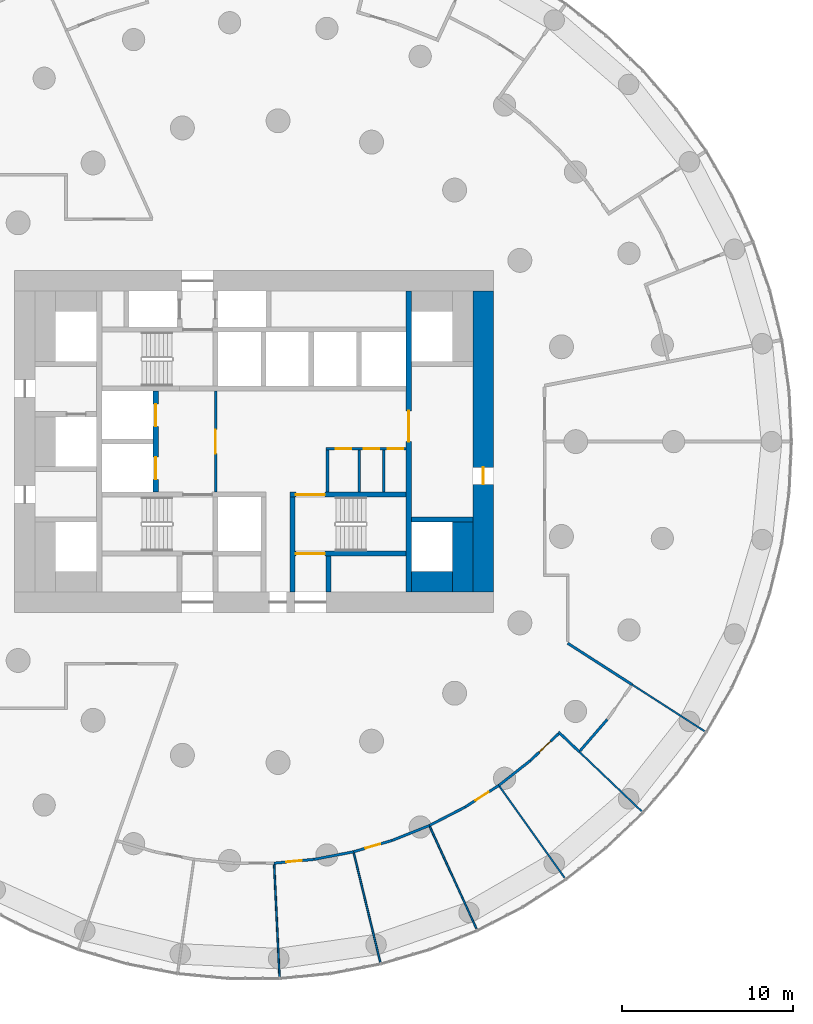
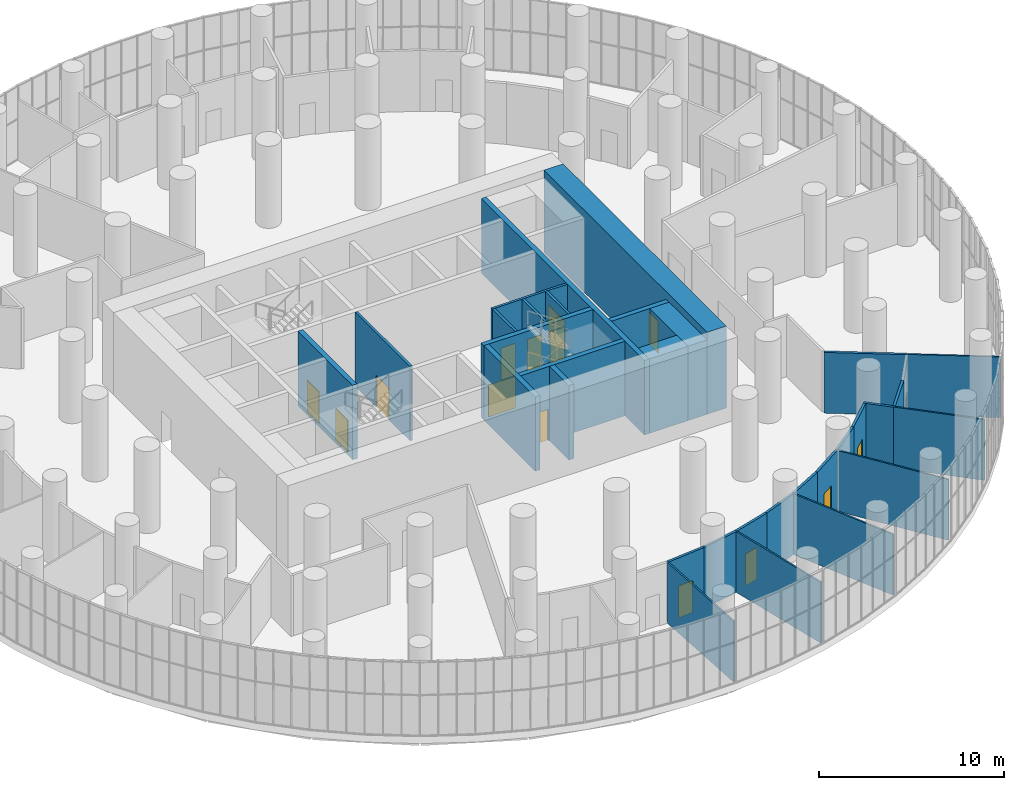
# One storey, part 22 of 27: 32 walls, 14 doors, 14 openings.
"""IFC4 building model written with IfcOpenShell, lengths in metres."""

from ifc_helpers import new_model, si_unit, direction, frame, frame_2d, origin, place, context, subcontext, project, spatial, rectangle, extrude, material, layer, layer_set, type_object, element, fill, save


model = new_model("IFC4")

# Units and contexts
model_context = context("Model", 3, precision=1e-05, world=origin(), true_north=direction((0.0, 1.0)))
body_context = subcontext(model_context, "Body", "Model", "MODEL_VIEW")
ifc_project = project(units=[si_unit("LENGTHUNIT", "METRE"), si_unit("AREAUNIT", "SQUARE_METRE"), si_unit("VOLUMEUNIT", "CUBIC_METRE"), si_unit("PLANEANGLEUNIT", "RADIAN"), si_unit("MASSUNIT", "GRAM", prefix="KILO")], contexts=[model_context])

# Site, building, storey
site_placement = place(None, origin())
site = spatial("IfcSite", under=ifc_project, at=site_placement, CompositionType="ELEMENT")
building_placement = place(site_placement, origin())
building = spatial("IfcBuilding", under=site, at=building_placement, Name="Tracery Tower", CompositionType="ELEMENT")
storey_placement = place(building_placement, frame((0.0, 0.0, 114.60009765625)))
storey = spatial("IfcBuildingStorey", under=building, at=storey_placement, Name="L29", CompositionType="ELEMENT", Elevation=114.60009765625)

# Wall, opening, door
ifc_material_1 = material(Name="Plasterboard on steel studs", Category="steel")
ifc_layer_1 = layer(ifc_material_1, 0.14990234375)
ifc_layer_set_1 = layer_set([ifc_layer_1], Name="Core lobby partition 150")
wall_type_1 = type_object("IfcWallType", Name="Core lobby partition 150", PredefinedType="SOLIDWALL", material=ifc_layer_set_1)
wall_1_placement = place(storey_placement, frame((-2.25, -2.949951171875, 0.0), z_axis=(0.0, 0.0, 1.0), x_axis=(0.0, 1.0, 0.0)))
wall_1 = element("IfcWall", 1, at=wall_1_placement, inside=storey, type_object=wall_type_1, Name="L29 FF lobby E", PredefinedType="SOLIDWALL", context=body_context, shape_type="SweptSolid", body=[
    extrude(rectangle(XDim=5.89990234375, YDim=0.14990234375, at=frame_2d((2.949951171875, 0.0))), origin(), (0.0, 0.0, 1.0), 4.89990234375),
])
opening_1_placement = place(wall_1_placement, frame((2.25, 0.0, 0.0)))
opening_1 = element("IfcOpeningElement", 2, at=opening_1_placement, cuts=wall_1, Name="Opening KD8", PredefinedType="OPENING", context=body_context, shape_type="SweptSolid", body=[
    extrude(rectangle(XDim=1.39990234375, YDim=2.10009765625, at=frame_2d((0.699951171875, 1.050048828125))), frame((0.0, 0.074951171875, 0.0), z_axis=(0.0, -1.0, 0.0), x_axis=(1.0, 0.0, 0.0)), (0.0, 0.0, 1.0), 0.14990234375),
])
ifc_material_2 = material(Name="Steel fire door", Category="steel")
door_type_1 = type_object("IfcDoorType", Name="Core lobby door 1400 double", OperationType="NOTDEFINED", PredefinedType="DOOR", material=ifc_material_2)
door_1_placement = place(opening_1_placement, origin())
door_1 = element("IfcDoor", 3, at=door_1_placement, inside=storey, type_object=door_type_1, Name="Fire-fighting lobby door", OperationType="DOUBLE_DOOR_SINGLE_SWING", OverallHeight=2.10009765625, OverallWidth=1.39990234375, PredefinedType="DOOR", context=body_context, shape_type="SweptSolid", body=[
    extrude(rectangle(XDim=1.39990234375, YDim=2.10009765625, at=frame_2d((0.699951171875, 1.050048828125))), frame((0.0, 0.02490234375, 0.0), z_axis=(0.0, -1.0, 0.0), x_axis=(1.0, 0.0, 0.0)), (0.0, 0.0, 1.0), 0.050048828125),
])
fill(opening_1, door_1)

# Wall
ifc_material_3 = material(Name="Plasterboard on steel studs", Category="steel")
ifc_layer_2 = layer(ifc_material_3, 0.14990234375)
ifc_layer_set_2 = layer_set([ifc_layer_2], Name="Core room partition 150")
wall_type_2 = type_object("IfcWallType", Name="Core room partition 150", PredefinedType="SOLIDWALL", material=ifc_layer_set_2)
wall_2_placement = place(storey_placement, frame((4.300048828125, -2.949951171875, 0.0), z_axis=(0.0, 0.0, 1.0), x_axis=(0.0, 1.0, 0.0)))
element("IfcWall", 4, at=wall_2_placement, inside=storey, type_object=wall_type_2, Name="L29 slot W", PredefinedType="SOLIDWALL", context=body_context, shape_type="SweptSolid", body=[
    extrude(rectangle(XDim=2.449951171875, YDim=0.14990234375, at=frame_2d((1.22509765625, 0.0))), origin(), (0.0, 0.0, 1.0), 4.89990234375),
])

# Wall, openings, doors
wall_3_placement = place(storey_placement, frame((4.22509765625, -0.425048828125, 0.0), z_axis=(0.0, 0.0, 1.0), x_axis=(1.0, 0.0, 0.0)))
wall_3 = element("IfcWall", 5, at=wall_3_placement, inside=storey, type_object=wall_type_2, Name="L29 slot N", PredefinedType="SOLIDWALL", context=body_context, shape_type="SweptSolid", body=[
    extrude(rectangle(XDim=4.6748046875, YDim=0.14990234375, at=frame_2d((2.33740234375, 0.0))), origin(), (0.0, 0.0, 1.0), 4.89990234375),
])
opening_2_placement = place(wall_3_placement, frame((0.550048828125, 0.0, 0.0)))
opening_2 = element("IfcOpeningElement", 6, at=opening_2_placement, cuts=wall_3, Name="Opening KD22", PredefinedType="OPENING", context=body_context, shape_type="SweptSolid", body=[
    extrude(rectangle(XDim=0.89990234375, YDim=2.10009765625, at=frame_2d((0.449951171875, 1.050048828125))), frame((0.0, 0.074951171875, 0.0), z_axis=(0.0, -1.0, 0.0), x_axis=(1.0, 0.0, 0.0)), (0.0, 0.0, 1.0), 0.14990234375),
])
opening_3_placement = place(wall_3_placement, frame((2.199951171875, 0.0, 0.0)))
opening_3 = element("IfcOpeningElement", 7, at=opening_3_placement, cuts=wall_3, Name="Opening KD26", PredefinedType="OPENING", context=body_context, shape_type="SweptSolid", body=[
    extrude(rectangle(XDim=0.89990234375, YDim=2.10009765625, at=frame_2d((0.449951171875, 1.050048828125))), frame((0.0, 0.074951171875, 0.0), z_axis=(0.0, -1.0, 0.0), x_axis=(1.0, 0.0, 0.0)), (0.0, 0.0, 1.0), 0.14990234375),
])
opening_4_placement = place(wall_3_placement, frame((3.612548828125, 0.0, 0.0)))
opening_4 = element("IfcOpeningElement", 8, at=opening_4_placement, cuts=wall_3, Name="Opening KD27", PredefinedType="OPENING", context=body_context, shape_type="SweptSolid", body=[
    extrude(rectangle(XDim=0.89990234375, YDim=2.10009765625, at=frame_2d((0.449951171875, 1.050048828125))), frame((0.0, 0.074951171875, 0.0), z_axis=(0.0, -1.0, 0.0), x_axis=(1.0, 0.0, 0.0)), (0.0, 0.0, 1.0), 0.14990234375),
])
ifc_material_4 = material(Name="Timber door leaf", Category="wood")
door_type_2 = type_object("IfcDoorType", Name="Core WC door 900", OperationType="NOTDEFINED", PredefinedType="DOOR", material=ifc_material_4)
door_2_placement = place(opening_2_placement, origin())
door_2 = element("IfcDoor", 9, at=door_2_placement, inside=storey, type_object=door_type_2, Name="Core door", OperationType="SINGLE_SWING_RIGHT", OverallHeight=2.10009765625, OverallWidth=0.89990234375, PredefinedType="DOOR", context=body_context, shape_type="SweptSolid", body=[
    extrude(rectangle(XDim=0.89990234375, YDim=2.10009765625, at=frame_2d((0.449951171875, 1.050048828125))), frame((0.0, 0.02490234375, 0.0), z_axis=(0.0, -1.0, 0.0), x_axis=(1.0, 0.0, 0.0)), (0.0, 0.0, 1.0), 0.050048828125),
])
fill(opening_2, door_2)
ifc_material_5 = material(Name="Timber door leaf", Category="wood")
door_type_3 = type_object("IfcDoorType", Name="Core store door 900", OperationType="NOTDEFINED", PredefinedType="DOOR", material=ifc_material_5)
door_3_placement = place(opening_3_placement, origin())
door_3 = element("IfcDoor", 10, at=door_3_placement, inside=storey, type_object=door_type_3, Name="Core door", OperationType="SINGLE_SWING_LEFT", OverallHeight=2.10009765625, OverallWidth=0.89990234375, PredefinedType="DOOR", context=body_context, shape_type="SweptSolid", body=[
    extrude(rectangle(XDim=0.89990234375, YDim=2.10009765625, at=frame_2d((0.449951171875, 1.050048828125))), frame((0.0, 0.02490234375, 0.0), z_axis=(0.0, -1.0, 0.0), x_axis=(1.0, 0.0, 0.0)), (0.0, 0.0, 1.0), 0.050048828125),
])
fill(opening_3, door_3)
door_4_placement = place(opening_4_placement, origin())
door_4 = element("IfcDoor", 11, at=door_4_placement, inside=storey, type_object=door_type_3, Name="Core door", OperationType="SINGLE_SWING_RIGHT", OverallHeight=2.10009765625, OverallWidth=0.89990234375, PredefinedType="DOOR", context=body_context, shape_type="SweptSolid", body=[
    extrude(rectangle(XDim=0.89990234375, YDim=2.10009765625, at=frame_2d((0.449951171875, 1.050048828125))), frame((0.0, 0.02490234375, 0.0), z_axis=(0.0, -1.0, 0.0), x_axis=(1.0, 0.0, 0.0)), (0.0, 0.0, 1.0), 0.050048828125),
])
fill(opening_4, door_4)

# Walls
for number, where, z_axis, x_axis, name in (
    (12, (6.14990234375, -2.949951171875, 0.0), (0.0, 0.0, 1.0), (0.0, 1.0, 0.0), "L29 slot sep 1"),
    (13, (7.60009765625, -2.949951171875, 0.0), (0.0, 0.0, 1.0), (0.0, 1.0, 0.0), "L29 slot sep 2"),
):
    element("IfcWall", number, at=place(storey_placement, frame(where, z_axis=z_axis, x_axis=x_axis)), inside=storey, type_object=wall_type_2, Name=name, PredefinedType="SOLIDWALL", context=body_context, shape_type="SweptSolid", body=[
        extrude(rectangle(XDim=2.449951171875, YDim=0.14990234375, at=frame_2d((1.22509765625, 0.0))), origin(), (0.0, 0.0, 1.0), 4.89990234375),
    ])
ifc_material_6 = material(Name="Concrete C60/75", Category="concrete")
ifc_layer_3 = layer(ifc_material_6, 1.199951171875)
ifc_layer_set_3 = layer_set([ifc_layer_3], Name="Core strip wall 1200 C60")
wall_type_3 = type_object("IfcWallType", Name="Core strip wall 1200 C60", PredefinedType="SOLIDWALL", material=ifc_layer_set_3)
wall_4_placement = place(storey_placement, frame((12.199951171875, -8.800048828125, 0.0), z_axis=(0.0, 0.0, 1.0), x_axis=(0.0, 1.0, 0.0)))
element("IfcWall", 14, at=wall_4_placement, inside=storey, type_object=wall_type_3, Name="L29 wing strip +1 -9.4", PredefinedType="SOLIDWALL", context=body_context, shape_type="SweptSolid", body=[
    extrude(rectangle(XDim=4.10009765625, YDim=1.199951171875, at=frame_2d((2.050048828125, 0.0))), origin(), (0.0, 0.0, 1.0), 4.89990234375),
])
wall_5_placement = place(storey_placement, frame((9.199951171875, -8.199951171875, 0.0), z_axis=(0.0, 0.0, 1.0), x_axis=(1.0, 0.0, 0.0)))
element("IfcWall", 15, at=wall_5_placement, inside=storey, type_object=wall_type_3, Name="L29 wing corner +1 -8.2", PredefinedType="SOLIDWALL", context=body_context, shape_type="SweptSolid", body=[
    extrude(rectangle(XDim=2.400146484375, YDim=1.199951171875, at=frame_2d((1.2001953125, 0.0))), origin(), (0.0, 0.0, 1.0), 4.89990234375),
])

# Wall, opening, door
ifc_material_7 = material(Name="Concrete C60/75", Category="concrete")
ifc_layer_4 = layer(ifc_material_7, 1.199951171875)
ifc_layer_set_4 = layer_set([ifc_layer_4], Name="Core wall 1200 C60")
wall_type_4 = type_object("IfcWallType", Name="Core wall 1200 C60", PredefinedType="SOLIDWALL", material=ifc_layer_set_4)
wall_6_placement = place(storey_placement, frame((13.39990234375, -8.800048828125, 0.0), z_axis=(0.0, 0.0, 1.0), x_axis=(0.0, 1.0, 0.0)))
wall_6 = element("IfcWall", 16, at=wall_6_placement, inside=storey, type_object=wall_type_4, Name="L29 outer E", PredefinedType="SOLIDWALL", context=body_context, shape_type="SweptSolid", body=[
    extrude(rectangle(XDim=17.60009765625, YDim=1.199951171875, at=frame_2d((8.800048828125, 0.0))), origin(), (0.0, 0.0, 1.0), 5.39990234375),
])
opening_5_placement = place(wall_6_placement, frame((6.300048828125, 0.0, 0.0)))
opening_5 = element("IfcOpeningElement", 17, at=opening_5_placement, cuts=wall_6, Name="Opening KD18", PredefinedType="OPENING", context=body_context, shape_type="SweptSolid", body=[
    extrude(rectangle(XDim=1.0, YDim=2.10009765625, at=frame_2d((0.5, 1.050048828125))), frame((0.0, 0.60009765625, 0.0), z_axis=(0.0, -1.0, 0.0), x_axis=(1.0, 0.0, 0.0)), (0.0, 0.0, 1.0), 1.199951171875),
])
ifc_material_8 = material(Name="Steel fire door", Category="steel")
door_type_4 = type_object("IfcDoorType", Name="Core exit door 1000", OperationType="NOTDEFINED", PredefinedType="DOOR", material=ifc_material_8)
door_5_placement = place(opening_5_placement, origin())
door_5 = element("IfcDoor", 18, at=door_5_placement, inside=storey, type_object=door_type_4, Name="Core exit door", OperationType="DOUBLE_DOOR_SINGLE_SWING", OverallHeight=2.10009765625, OverallWidth=1.0, PredefinedType="DOOR", context=body_context, shape_type="SweptSolid", body=[
    extrude(rectangle(XDim=1.0, YDim=2.10009765625, at=frame_2d((0.5, 1.050048828125))), frame((0.0, 0.02490234375, 0.0), z_axis=(0.0, -1.0, 0.0), x_axis=(1.0, 0.0, 0.0)), (0.0, 0.0, 1.0), 0.050048828125),
])
fill(opening_5, door_5)

ifc_material_9 = material(Name="Plasterboard on steel studs", Category="steel")
ifc_layer_5 = layer(ifc_material_9, 0.14990234375)
ifc_layer_set_5 = layer_set([ifc_layer_5], Name="Corridor partition 150")
wall_type_5 = type_object("IfcWallType", Name="Corridor partition 150", PredefinedType="PARTITIONING", material=ifc_layer_set_5)
wall_7_placement = place(storey_placement, frame((3.51318359375, -24.435546875, 0.0), z_axis=(0.0, 0.0, 1.0), x_axis=(-0.995468810632, -0.095088627386, 0.0)))
wall_7 = element("IfcWall", 19, at=wall_7_placement, inside=storey, type_object=wall_type_5, Name="Corridor partition 150", PredefinedType="PARTITIONING", context=body_context, shape_type="SweptSolid", body=[
    extrude(rectangle(XDim=2.349365234375, YDim=0.14990234375, at=frame_2d((1.1748046875, 0.0))), origin(), (0.0, 0.0, 1.0), 4.0),
])
opening_6_placement = place(wall_7_placement, frame((0.724609375, 0.0, 0.0)))
opening_6 = element("IfcOpeningElement", 20, at=opening_6_placement, cuts=wall_7, Name="Opening SB-L29-26", PredefinedType="OPENING", context=body_context, shape_type="SweptSolid", body=[
    extrude(rectangle(XDim=0.89990234375, YDim=2.10009765625, at=frame_2d((0.449951171875, 1.050048828125))), frame((0.0, 0.074951171875, 0.0), z_axis=(0.0, -1.0, 0.0), x_axis=(1.0, 0.0, 0.0)), (0.0, 0.0, 1.0), 0.14990234375),
])
ifc_material_10 = material(Name="Timber door leaf", Category="wood")
door_type_5 = type_object("IfcDoorType", Name="Room door 900", OperationType="NOTDEFINED", PredefinedType="DOOR", material=ifc_material_10)
door_6_placement = place(opening_6_placement, origin())
door_6 = element("IfcDoor", 21, at=door_6_placement, inside=storey, type_object=door_type_5, Name="Room door 900", OperationType="SINGLE_SWING_RIGHT", OverallHeight=2.10009765625, OverallWidth=0.89990234375, PredefinedType="DOOR", context=body_context, shape_type="SweptSolid", body=[
    extrude(rectangle(XDim=0.89990234375, YDim=2.10009765625, at=frame_2d((0.449951171875, 1.050048828125))), frame((0.0, 0.02490234375, 0.0), z_axis=(0.0, -1.0, 0.0), x_axis=(1.0, 0.0, 0.0)), (0.0, 0.0, 1.0), 0.050048828125),
])
fill(opening_6, door_6)

# Wall
wall_8_placement = place(storey_placement, frame((3.51318359375, -24.435546875, 0.0), z_axis=(0.0, 0.0, 1.0), x_axis=(0.981931506564, 0.189236667738, 0.0)))
element("IfcWall", 22, at=wall_8_placement, inside=storey, type_object=wall_type_5, Name="Corridor partition 150", PredefinedType="PARTITIONING", context=body_context, shape_type="SweptSolid", body=[
    extrude(rectangle(XDim=2.349365234375, YDim=0.14990234375, at=frame_2d((1.1748046875, 0.0))), origin(), (0.0, 0.0, 1.0), 4.0),
])

# Wall, opening, door
wall_9_placement = place(storey_placement, frame((8.07421875, -23.3291015625, 0.0), z_axis=(0.0, 0.0, 1.0), x_axis=(-0.95949447396, -0.281727447082, 0.0)))
wall_9 = element("IfcWall", 23, at=wall_9_placement, inside=storey, type_object=wall_type_5, Name="Corridor partition 150", PredefinedType="PARTITIONING", context=body_context, shape_type="SweptSolid", body=[
    extrude(rectangle(XDim=2.349365234375, YDim=0.14990234375, at=frame_2d((1.1748046875, 0.0))), origin(), (0.0, 0.0, 1.0), 4.0),
])
opening_7_placement = place(wall_9_placement, frame((0.724609375, 0.0, 0.0)))
opening_7 = element("IfcOpeningElement", 24, at=opening_7_placement, cuts=wall_9, Name="Opening SB-L29-27", PredefinedType="OPENING", context=body_context, shape_type="SweptSolid", body=[
    extrude(rectangle(XDim=0.89990234375, YDim=2.10009765625, at=frame_2d((0.449951171875, 1.050048828125))), frame((0.0, 0.074951171875, 0.0), z_axis=(0.0, -1.0, 0.0), x_axis=(1.0, 0.0, 0.0)), (0.0, 0.0, 1.0), 0.14990234375),
])
door_7_placement = place(opening_7_placement, origin())
door_7 = element("IfcDoor", 25, at=door_7_placement, inside=storey, type_object=door_type_5, Name="Room door 900", OperationType="SINGLE_SWING_RIGHT", OverallHeight=2.10009765625, OverallWidth=0.89990234375, PredefinedType="DOOR", context=body_context, shape_type="SweptSolid", body=[
    extrude(rectangle(XDim=0.89990234375, YDim=2.10009765625, at=frame_2d((0.449951171875, 1.050048828125))), frame((0.0, 0.02490234375, 0.0), z_axis=(0.0, -1.0, 0.0), x_axis=(1.0, 0.0, 0.0)), (0.0, 0.0, 1.0), 0.050048828125),
])
fill(opening_7, door_7)

# Walls
for number, where, z_axis, x_axis, name in (
    (26, (8.07421875, -23.3291015625, 0.0), (0.0, 0.0, 1.0), (0.92839066607, 0.371605666204, 0.0), "Corridor partition 150"),
    (27, (10.25537109375, -22.4560546875, 0.0), (0.0, 0.0, 1.0), (0.88880911981, 0.458277588959, 0.0), "Corridor partition 150"),
):
    element("IfcWall", number, at=place(storey_placement, frame(where, z_axis=z_axis, x_axis=x_axis)), inside=storey, type_object=wall_type_5, Name=name, PredefinedType="PARTITIONING", context=body_context, shape_type="SweptSolid", body=[
        extrude(rectangle(XDim=2.349365234375, YDim=0.14990234375, at=frame_2d((1.1748046875, 0.0))), origin(), (0.0, 0.0, 1.0), 4.0),
    ])

# Wall, opening, door
wall_10_placement = place(storey_placement, frame((14.31982421875, -20.109375, 0.0), z_axis=(0.0, 0.0, 1.0), x_axis=(-0.841269631933, -0.540615765944, 0.0)))
wall_10 = element("IfcWall", 28, at=wall_10_placement, inside=storey, type_object=wall_type_5, Name="Corridor partition 150", PredefinedType="PARTITIONING", context=body_context, shape_type="SweptSolid", body=[
    extrude(rectangle(XDim=2.34912109375, YDim=0.14990234375, at=frame_2d((1.174560546875, 0.0))), origin(), (0.0, 0.0, 1.0), 4.0),
])
opening_8_placement = place(wall_10_placement, frame((0.724609375, 0.0, 0.0)))
opening_8 = element("IfcOpeningElement", 29, at=opening_8_placement, cuts=wall_10, Name="Opening SB-L29-28", PredefinedType="OPENING", context=body_context, shape_type="SweptSolid", body=[
    extrude(rectangle(XDim=0.89990234375, YDim=2.10009765625, at=frame_2d((0.449951171875, 1.050048828125))), frame((0.0, 0.074951171875, 0.0), z_axis=(0.0, -1.0, 0.0), x_axis=(1.0, 0.0, 0.0)), (0.0, 0.0, 1.0), 0.14990234375),
])
door_8_placement = place(opening_8_placement, origin())
door_8 = element("IfcDoor", 30, at=door_8_placement, inside=storey, type_object=door_type_5, Name="Room door 900", OperationType="SINGLE_SWING_RIGHT", OverallHeight=2.10009765625, OverallWidth=0.89990234375, PredefinedType="DOOR", context=body_context, shape_type="SweptSolid", body=[
    extrude(rectangle(XDim=0.89990234375, YDim=2.10009765625, at=frame_2d((0.449951171875, 1.050048828125))), frame((0.0, 0.02490234375, 0.0), z_axis=(0.0, -1.0, 0.0), x_axis=(1.0, 0.0, 0.0)), (0.0, 0.0, 1.0), 0.050048828125),
])
fill(opening_8, door_8)

# Wall
wall_11_placement = place(storey_placement, frame((14.31982421875, -20.109375, 0.0), z_axis=(0.0, 0.0, 1.0), x_axis=(0.786022562764, 0.618197808816, 0.0)))
element("IfcWall", 31, at=wall_11_placement, inside=storey, type_object=wall_type_5, Name="Corridor partition 150", PredefinedType="PARTITIONING", context=body_context, shape_type="SweptSolid", body=[
    extrude(rectangle(XDim=2.349365234375, YDim=0.14990234375, at=frame_2d((1.1748046875, 0.0))), origin(), (0.0, 0.0, 1.0), 4.0),
])

# Wall, opening, door
wall_12_placement = place(storey_placement, frame((17.8125, -17.087646484375, 0.0), z_axis=(0.0, 0.0, 1.0), x_axis=(-0.723759987923, -0.690051795071, 0.0)))
wall_12 = element("IfcWall", 32, at=wall_12_placement, inside=storey, type_object=wall_type_5, Name="Corridor partition 150", PredefinedType="PARTITIONING", context=body_context, shape_type="SweptSolid", body=[
    extrude(rectangle(XDim=2.274169921875, YDim=0.14990234375, at=frame_2d((1.13720703125, 0.0))), origin(), (0.0, 0.0, 1.0), 4.0),
])
opening_9_placement = place(wall_12_placement, frame((0.649658203125, 0.0, 0.0)))
opening_9 = element("IfcOpeningElement", 33, at=opening_9_placement, cuts=wall_12, Name="Opening SB-L29-29", PredefinedType="OPENING", context=body_context, shape_type="SweptSolid", body=[
    extrude(rectangle(XDim=0.89990234375, YDim=2.10009765625, at=frame_2d((0.449951171875, 1.050048828125))), frame((0.0, 0.074951171875, 0.0), z_axis=(0.0, -1.0, 0.0), x_axis=(1.0, 0.0, 0.0)), (0.0, 0.0, 1.0), 0.14990234375),
])
door_9_placement = place(opening_9_placement, origin())
door_9 = element("IfcDoor", 34, at=door_9_placement, inside=storey, type_object=door_type_5, Name="Room door 900", OperationType="SINGLE_SWING_RIGHT", OverallHeight=2.10009765625, OverallWidth=0.89990234375, PredefinedType="DOOR", context=body_context, shape_type="SweptSolid", body=[
    extrude(rectangle(XDim=0.89990234375, YDim=2.10009765625, at=frame_2d((0.449951171875, 1.050048828125))), frame((0.0, 0.02490234375, 0.0), z_axis=(0.0, -1.0, 0.0), x_axis=(1.0, 0.0, 0.0)), (0.0, 0.0, 1.0), 0.050048828125),
])
fill(opening_9, door_9)

# Walls
wall_13_placement = place(storey_placement, frame((19.02587890625, -18.141357421875, 0.0), z_axis=(0.0, 0.0, 1.0), x_axis=(-0.723652981841, 0.69016401085, 0.0)))
element("IfcWall", 35, at=wall_13_placement, inside=storey, type_object=wall_type_5, Name="Corridor partition 150", PredefinedType="PARTITIONING", context=body_context, shape_type="SweptSolid", body=[
    extrude(rectangle(XDim=1.6767578125, YDim=0.14990234375, at=frame_2d((0.83837890625, 0.0))), origin(), (0.0, 0.0, 1.0), 4.0),
])
wall_14_placement = place(storey_placement, frame((19.0751953125, -18.084716796875, 0.0), z_axis=(0.0, 0.0, 1.0), x_axis=(0.654800311432, 0.755801926531, 0.0)))
element("IfcWall", 36, at=wall_14_placement, inside=storey, type_object=wall_type_5, Name="Corridor partition 150", PredefinedType="PARTITIONING", context=body_context, shape_type="SweptSolid", body=[
    extrude(rectangle(XDim=2.4267578125, YDim=0.14990234375, at=frame_2d((1.21337890625, 0.0))), origin(), (0.0, 0.0, 1.0), 4.0),
])
wall_15_placement = place(storey_placement, frame((22.115478515625, -14.212646484375, 0.0), z_axis=(0.0, 0.0, 1.0), x_axis=(-0.841275975043, 0.540605895099, 0.0)))
element("IfcWall", 37, at=wall_15_placement, inside=storey, type_object=wall_type_5, Name="Corridor partition 150", PredefinedType="PARTITIONING", context=body_context, shape_type="SweptSolid", body=[
    extrude(rectangle(XDim=4.47412109375, YDim=0.14990234375, at=frame_2d((2.237060546875, 0.0))), origin(), (0.0, 0.0, 1.0), 4.0),
])

# Wall, openings, doors
ifc_material_11 = material(Name="Concrete C60/75", Category="concrete")
ifc_layer_6 = layer(ifc_material_11, 0.300048828125)
ifc_layer_set_6 = layer_set([ifc_layer_6], Name="Shaft wall 300 C60")
wall_type_6 = type_object("IfcWallType", Name="Shaft wall 300 C60", PredefinedType="SOLIDWALL", material=ifc_layer_set_6)
wall_16_placement = place(storey_placement, frame((-5.75, -2.949951171875, 0.0), z_axis=(0.0, 0.0, 1.0), x_axis=(0.0, 1.0, 0.0)))
wall_16 = element("IfcWall", 38, at=wall_16_placement, inside=storey, type_object=wall_type_6, Name="L29 FF doors", PredefinedType="SOLIDWALL", context=body_context, shape_type="SweptSolid", body=[
    extrude(rectangle(XDim=5.89990234375, YDim=0.300048828125, at=frame_2d((2.949951171875, 0.0))), origin(), (0.0, 0.0, 1.0), 4.89990234375),
])
opening_10_placement = place(wall_16_placement, frame((0.75, 0.0, 0.0)))
opening_10 = element("IfcOpeningElement", 39, at=opening_10_placement, cuts=wall_16, Name="Opening KD54", PredefinedType="OPENING", context=body_context, shape_type="SweptSolid", body=[
    extrude(rectangle(XDim=1.300048828125, YDim=2.10009765625, at=frame_2d((0.64990234375, 1.050048828125))), frame((0.0, 0.14990234375, 0.0), z_axis=(0.0, -1.0, 0.0), x_axis=(1.0, 0.0, 0.0)), (0.0, 0.0, 1.0), 0.300048828125),
])
opening_11_placement = place(wall_16_placement, frame((3.85009765625, 0.0, 0.0)))
opening_11 = element("IfcOpeningElement", 40, at=opening_11_placement, cuts=wall_16, Name="Opening KD55", PredefinedType="OPENING", context=body_context, shape_type="SweptSolid", body=[
    extrude(rectangle(XDim=1.300048828125, YDim=2.10009765625, at=frame_2d((0.64990234375, 1.050048828125))), frame((0.0, 0.14990234375, 0.0), z_axis=(0.0, -1.0, 0.0), x_axis=(1.0, 0.0, 0.0)), (0.0, 0.0, 1.0), 0.300048828125),
])
ifc_material_12 = material(Name="Steel fire door", Category="steel")
door_type_6 = type_object("IfcDoorType", Name="Landing door FF 1300", OperationType="NOTDEFINED", PredefinedType="DOOR", material=ifc_material_12)
door_10_placement = place(opening_10_placement, origin())
door_10 = element("IfcDoor", 41, at=door_10_placement, inside=storey, type_object=door_type_6, Name="Landing door FF1", OperationType="SLIDING_TO_LEFT", OverallHeight=2.10009765625, OverallWidth=1.300048828125, PredefinedType="DOOR", context=body_context, shape_type="SweptSolid", body=[
    extrude(rectangle(XDim=1.300048828125, YDim=2.10009765625, at=frame_2d((0.64990234375, 1.050048828125))), frame((0.0, 0.02490234375, 0.0), z_axis=(0.0, -1.0, 0.0), x_axis=(1.0, 0.0, 0.0)), (0.0, 0.0, 1.0), 0.050048828125),
])
fill(opening_10, door_10)
door_11_placement = place(opening_11_placement, origin())
door_11 = element("IfcDoor", 42, at=door_11_placement, inside=storey, type_object=door_type_6, Name="Landing door FF2", OperationType="SLIDING_TO_RIGHT", OverallHeight=2.10009765625, OverallWidth=1.300048828125, PredefinedType="DOOR", context=body_context, shape_type="SweptSolid", body=[
    extrude(rectangle(XDim=1.300048828125, YDim=2.10009765625, at=frame_2d((0.64990234375, 1.050048828125))), frame((0.0, 0.02490234375, 0.0), z_axis=(0.0, -1.0, 0.0), x_axis=(1.0, 0.0, 0.0)), (0.0, 0.0, 1.0), 0.050048828125),
])
fill(opening_11, door_11)

# Walls
wall_17_placement = place(storey_placement, frame((4.35009765625, -8.800048828125, 0.0), z_axis=(0.0, 0.0, 1.0), x_axis=(0.0, 1.0, 0.0)))
element("IfcWall", 43, at=wall_17_placement, inside=storey, type_object=wall_type_6, Name="L29 band S +4.35", PredefinedType="SOLIDWALL", context=body_context, shape_type="SweptSolid", body=[
    extrude(rectangle(XDim=2.10009765625, YDim=0.300048828125, at=frame_2d((1.050048828125, 0.0))), origin(), (0.0, 0.0, 1.0), 4.89990234375),
])
wall_18_placement = place(storey_placement, frame((9.199951171875, -4.550048828125, 0.0), z_axis=(0.0, 0.0, 1.0), x_axis=(1.0, 0.0, 0.0)))
element("IfcWall", 44, at=wall_18_placement, inside=storey, type_object=wall_type_6, Name="L29 wing shaft wall +1 -4.55", PredefinedType="SOLIDWALL", context=body_context, shape_type="SweptSolid", body=[
    extrude(rectangle(XDim=3.60009765625, YDim=0.300048828125, at=frame_2d((1.800048828125, 0.0))), origin(), (0.0, 0.0, 1.0), 4.89990234375),
])

# Wall, opening, door
ifc_material_13 = material(Name="Concrete C60/75", Category="concrete")
ifc_layer_7 = layer(ifc_material_13, 0.300048828125)
ifc_layer_set_7 = layer_set([ifc_layer_7], Name="Stair wall 300 C60")
wall_type_7 = type_object("IfcWallType", Name="Stair wall 300 C60", PredefinedType="SOLIDWALL", material=ifc_layer_set_7)
wall_19_placement = place(storey_placement, frame((2.10009765625, -3.10009765625, 0.0), z_axis=(0.0, 0.0, 1.0), x_axis=(1.0, 0.0, 0.0)))
wall_19 = element("IfcWall", 45, at=wall_19_placement, inside=storey, type_object=wall_type_7, Name="L29 row S E", PredefinedType="SOLIDWALL", context=body_context, shape_type="SweptSolid", body=[
    extrude(rectangle(XDim=6.7998046875, YDim=0.300048828125, at=frame_2d((3.39990234375, 0.0))), origin(), (0.0, 0.0, 1.0), 4.89990234375),
])
opening_12_placement = place(wall_19_placement, frame((0.35009765625, 0.0, 0.0)))
opening_12 = element("IfcOpeningElement", 46, at=opening_12_placement, cuts=wall_19, Name="Opening KD3", PredefinedType="OPENING", context=body_context, shape_type="SweptSolid", body=[
    extrude(rectangle(XDim=1.699951171875, YDim=2.10009765625, at=frame_2d((0.85009765625, 1.050048828125))), frame((0.0, 0.14990234375, 0.0), z_axis=(0.0, -1.0, 0.0), x_axis=(1.0, 0.0, 0.0)), (0.0, 0.0, 1.0), 0.300048828125),
])
ifc_material_14 = material(Name="Steel fire door", Category="steel")
door_type_7 = type_object("IfcDoorType", Name="Core stair door 1700 double", OperationType="NOTDEFINED", PredefinedType="DOOR", material=ifc_material_14)
door_12_placement = place(opening_12_placement, origin())
door_12 = element("IfcDoor", 47, at=door_12_placement, inside=storey, type_object=door_type_7, Name="Stair door ST2", OperationType="DOUBLE_DOOR_SINGLE_SWING", OverallHeight=2.10009765625, OverallWidth=1.699951171875, PredefinedType="DOOR", context=body_context, shape_type="SweptSolid", body=[
    extrude(rectangle(XDim=1.699951171875, YDim=2.10009765625, at=frame_2d((0.85009765625, 1.050048828125))), frame((0.0, 0.02490234375, 0.0), z_axis=(0.0, -1.0, 0.0), x_axis=(1.0, 0.0, 0.0)), (0.0, 0.0, 1.0), 0.050048828125),
])
fill(opening_12, door_12)

# Wall
wall_20_placement = place(storey_placement, frame((2.25, -8.800048828125, 0.0), z_axis=(0.0, 0.0, 1.0), x_axis=(0.0, 1.0, 0.0)))
element("IfcWall", 48, at=wall_20_placement, inside=storey, type_object=wall_type_7, Name="L29 ST2 W", PredefinedType="SOLIDWALL", context=body_context, shape_type="SweptSolid", body=[
    extrude(rectangle(XDim=5.550048828125, YDim=0.300048828125, at=frame_2d((2.77490234375, 0.0))), origin(), (0.0, 0.0, 1.0), 4.89990234375),
])

# Wall, opening, door
wall_21_placement = place(storey_placement, frame((9.050048828125, -8.800048828125, 0.0), z_axis=(0.0, 0.0, 1.0), x_axis=(0.0, 1.0, 0.0)))
wall_21 = element("IfcWall", 49, at=wall_21_placement, inside=storey, type_object=wall_type_7, Name="L29 F wall +9", PredefinedType="SOLIDWALL", context=body_context, shape_type="SweptSolid", body=[
    extrude(rectangle(XDim=17.60009765625, YDim=0.300048828125, at=frame_2d((8.800048828125, 0.0))), origin(), (0.0, 0.0, 1.0), 4.89990234375),
])
opening_13_placement = place(wall_21_placement, frame((8.800048828125, 0.0, 0.0)))
opening_13 = element("IfcOpeningElement", 50, at=opening_13_placement, cuts=wall_21, Name="Opening KD13", PredefinedType="OPENING", context=body_context, shape_type="SweptSolid", body=[
    extrude(rectangle(XDim=1.800048828125, YDim=2.10009765625, at=frame_2d((0.89990234375, 1.050048828125))), frame((0.0, 0.14990234375, 0.0), z_axis=(0.0, -1.0, 0.0), x_axis=(1.0, 0.0, 0.0)), (0.0, 0.0, 1.0), 0.300048828125),
])
ifc_material_15 = material(Name="Steel fire door", Category="steel")
door_type_8 = type_object("IfcDoorType", Name="Core exit door 1800 double", OperationType="NOTDEFINED", PredefinedType="DOOR", material=ifc_material_15)
door_13_placement = place(opening_13_placement, origin())
door_13 = element("IfcDoor", 51, at=door_13_placement, inside=storey, type_object=door_type_8, Name="Core exit door", OperationType="DOUBLE_DOOR_SINGLE_SWING", OverallHeight=2.10009765625, OverallWidth=1.800048828125, PredefinedType="DOOR", context=body_context, shape_type="SweptSolid", body=[
    extrude(rectangle(XDim=1.800048828125, YDim=2.10009765625, at=frame_2d((0.89990234375, 1.050048828125))), frame((0.0, 0.02490234375, 0.0), z_axis=(0.0, -1.0, 0.0), x_axis=(1.0, 0.0, 0.0)), (0.0, 0.0, 1.0), 0.050048828125),
])
fill(opening_13, door_13)

wall_22_placement = place(storey_placement, frame((2.39990234375, -6.550048828125, 0.0), z_axis=(0.0, 0.0, 1.0), x_axis=(1.0, 0.0, 0.0)))
wall_22 = element("IfcWall", 52, at=wall_22_placement, inside=storey, type_object=wall_type_7, Name="L29 F S E", PredefinedType="SOLIDWALL", context=body_context, shape_type="SweptSolid", body=[
    extrude(rectangle(XDim=6.5, YDim=0.300048828125, at=frame_2d((3.25, 0.0))), origin(), (0.0, 0.0, 1.0), 4.89990234375),
])
opening_14_placement = place(wall_22_placement, frame((0.050048828125, 0.0, 0.0)))
opening_14 = element("IfcOpeningElement", 53, at=opening_14_placement, cuts=wall_22, Name="Opening KD3", PredefinedType="OPENING", context=body_context, shape_type="SweptSolid", body=[
    extrude(rectangle(XDim=1.699951171875, YDim=2.10009765625, at=frame_2d((0.85009765625, 1.050048828125))), frame((0.0, 0.14990234375, 0.0), z_axis=(0.0, -1.0, 0.0), x_axis=(1.0, 0.0, 0.0)), (0.0, 0.0, 1.0), 0.300048828125),
])
door_14_placement = place(opening_14_placement, origin())
door_14 = element("IfcDoor", 54, at=door_14_placement, inside=storey, type_object=door_type_7, Name="Stair door ST2 S", OperationType="DOUBLE_DOOR_SINGLE_SWING", OverallHeight=2.10009765625, OverallWidth=1.699951171875, PredefinedType="DOOR", context=body_context, shape_type="SweptSolid", body=[
    extrude(rectangle(XDim=1.699951171875, YDim=2.10009765625, at=frame_2d((0.85009765625, 1.050048828125))), frame((0.0, 0.02490234375, 0.0), z_axis=(0.0, -1.0, 0.0), x_axis=(1.0, 0.0, 0.0)), (0.0, 0.0, 1.0), 0.050048828125),
])
fill(opening_14, door_14)

# Walls
ifc_material_16 = material(Name="Plasterboard on steel studs", Category="steel")
ifc_layer_8 = layer(ifc_material_16, 0.10009765625)
ifc_layer_set_8 = layer_set([ifc_layer_8], Name="Stud partition 100")
wall_type_8 = type_object("IfcWallType", Name="Stud partition 100", PredefinedType="PARTITIONING", material=ifc_layer_set_8)
wall_23_placement = place(storey_placement, frame((1.491455078125, -31.308837890625, 0.0), z_axis=(0.0, 0.0, 1.0), x_axis=(-0.047586295662, 0.998867130536, 0.0)))
element("IfcWall", 55, at=wall_23_placement, inside=storey, type_object=wall_type_8, Name="Stud partition 100", PredefinedType="PARTITIONING", context=body_context, shape_type="SweptSolid", body=[
    extrude(rectangle(XDim=6.58251953125, YDim=0.10009765625, at=frame_2d((3.291259765625, 0.0))), origin(), (0.0, 0.0, 1.0), 4.0),
])
for number, where, z_axis, x_axis, name in (
    (56, (7.3896484375, -30.460693359375, 0.0), (0.0, 0.0, 1.0), (-0.235748643115, 0.971814065174, 0.0), "Stud partition 100"),
    (57, (13.02099609375, -28.511962890625, 0.0), (0.0, 0.0, 1.0), (-0.415409113983, 0.909634689323, 0.0), "Stud partition 100"),
):
    element("IfcWall", number, at=place(storey_placement, frame(where, z_axis=z_axis, x_axis=x_axis)), inside=storey, type_object=wall_type_8, Name=name, PredefinedType="PARTITIONING", context=body_context, shape_type="SweptSolid", body=[
        extrude(rectangle(XDim=6.582275390625, YDim=0.10009765625, at=frame_2d((3.291015625, 0.0))), origin(), (0.0, 0.0, 1.0), 4.0),
    ])
wall_24_placement = place(storey_placement, frame((18.181396484375, -25.532470703125, 0.0), z_axis=(0.0, 0.0, 1.0), x_axis=(-0.580037676758, 0.814589647333, 0.0)))
element("IfcWall", 58, at=wall_24_placement, inside=storey, type_object=wall_type_8, Name="Stud partition 100", PredefinedType="PARTITIONING", context=body_context, shape_type="SweptSolid", body=[
    extrude(rectangle(XDim=6.58251953125, YDim=0.10009765625, at=frame_2d((3.291259765625, 0.0))), origin(), (0.0, 0.0, 1.0), 4.0),
])
wall_25_placement = place(storey_placement, frame((22.68505859375, -21.630126953125, 0.0), z_axis=(0.0, 0.0, 1.0), x_axis=(-0.723758857541, 0.690052980669, 0.0)))
element("IfcWall", 59, at=wall_25_placement, inside=storey, type_object=wall_type_8, Name="Stud partition 100", PredefinedType="PARTITIONING", context=body_context, shape_type="SweptSolid", body=[
    extrude(rectangle(XDim=5.055908203125, YDim=0.10009765625, at=frame_2d((2.52783203125, 0.0))), origin(), (0.0, 0.0, 1.0), 4.0),
])
wall_26_placement = place(storey_placement, frame((26.36865234375, -16.946044921875, 0.0), z_axis=(0.0, 0.0, 1.0), x_axis=(-0.841249071795, 0.540647758901, 0.0)))
element("IfcWall", 60, at=wall_26_placement, inside=storey, type_object=wall_type_8, Name="Stud partition 100", PredefinedType="PARTITIONING", context=body_context, shape_type="SweptSolid", body=[
    extrude(rectangle(XDim=5.0556640625, YDim=0.10009765625, at=frame_2d((2.52783203125, 0.0))), origin(), (0.0, 0.0, 1.0), 4.0),
])

save(model, "model.ifc")
